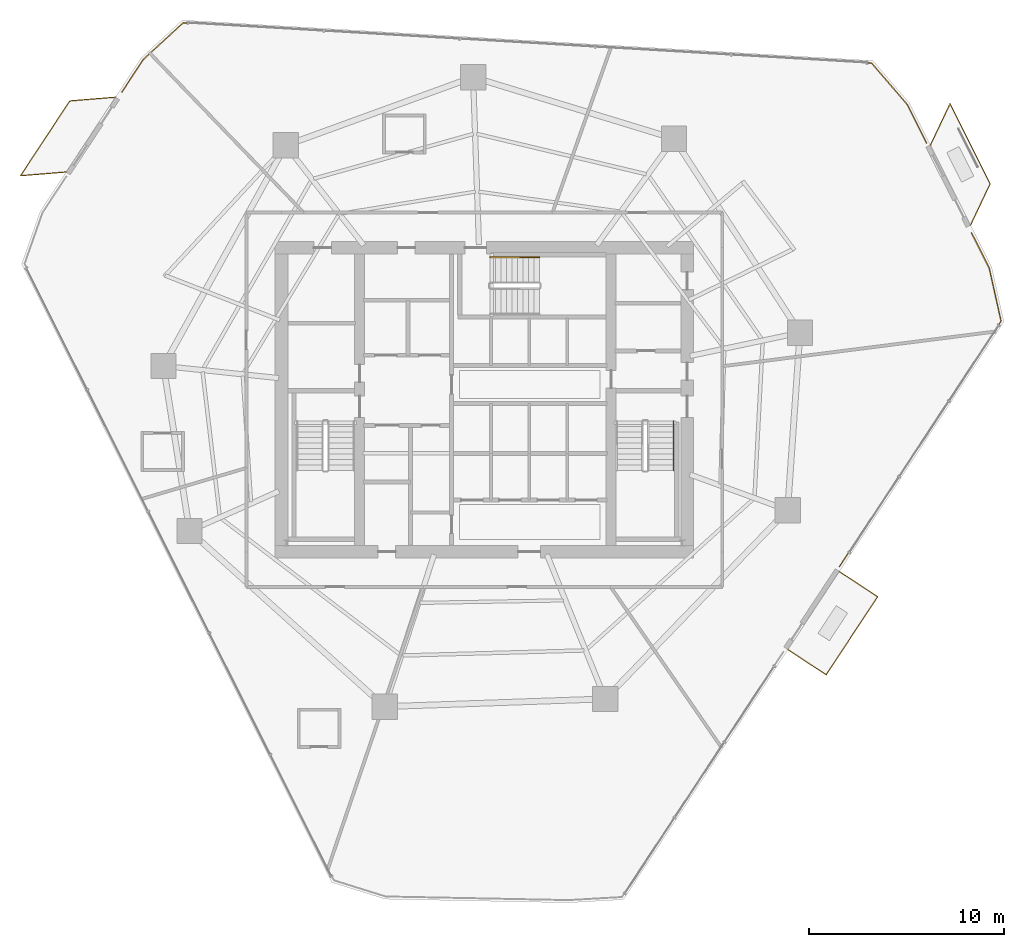
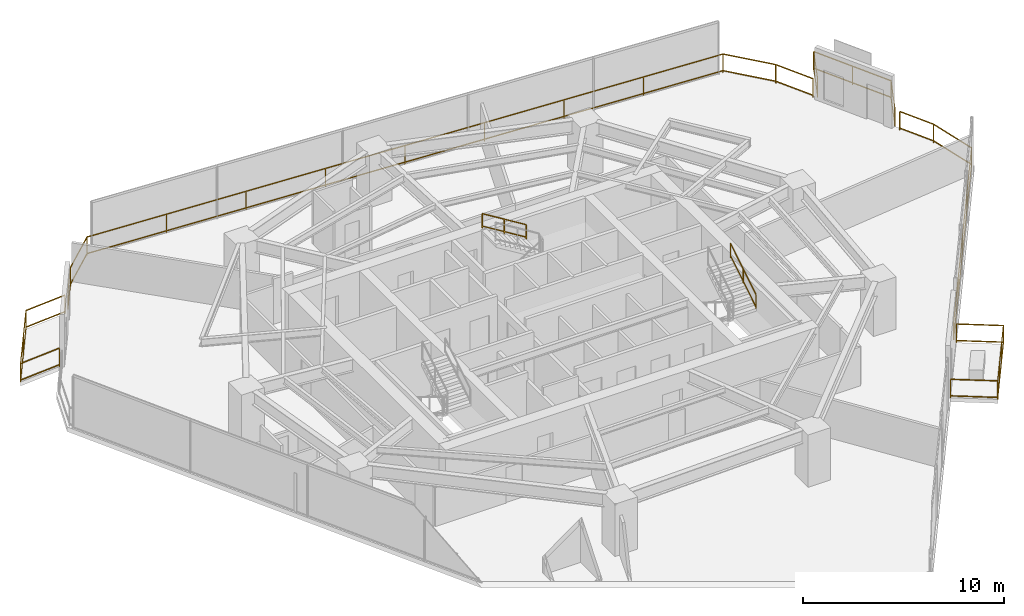
# One storey, part 28 of 28: 8 railings.
"""IFC4 building model written with IfcOpenShell, lengths in metres."""

from ifc_helpers import new_model, si_unit, direction, frame, origin, origin_2d, place, context, subcontext, project, spatial, rectangle, extrude, material, type_object, element, save


model = new_model("IFC4")

# Units and contexts
model_context = context("Model", 3, precision=1e-05, world=origin(), true_north=direction((0.0, 1.0)))
body_context = subcontext(model_context, "Body", "Model", "MODEL_VIEW")
ifc_project = project(units=[si_unit("LENGTHUNIT", "METRE"), si_unit("AREAUNIT", "SQUARE_METRE"), si_unit("VOLUMEUNIT", "CUBIC_METRE"), si_unit("PLANEANGLEUNIT", "RADIAN"), si_unit("MASSUNIT", "GRAM", prefix="KILO")], contexts=[model_context])

# Site, building, storey
site_placement = place(None, origin())
site = spatial("IfcSite", under=ifc_project, at=site_placement, CompositionType="ELEMENT")
building_placement = place(site_placement, origin())
building = spatial("IfcBuilding", under=site, at=building_placement, Name="Qarnah Convention Tower", CompositionType="ELEMENT")
storey_placement = place(building_placement, frame((0.0, 0.0, 54.60009765625)))
storey = spatial("IfcBuildingStorey", under=building, at=storey_placement, Name="L13", CompositionType="ELEMENT", Elevation=54.60009765625)

# Railings
ifc_material_1 = material(Name="Black anodised aluminium", Category="aluminium")
railing_type_1 = type_object("IfcRailingType", Name="RL-EXT-GUARD-1150", PredefinedType="GUARDRAIL", material=ifc_material_1)
railing_1_placement = place(storey_placement, frame((58.8798828125, 41.544921875, 0.0)))
element("IfcRailing", 1, at=railing_1_placement, inside=storey, type_object=railing_type_1, Name="L13 slab-edge perimeter safety guard 01", PredefinedType="GUARDRAIL", context=body_context, shape_type="SweptSolid", body=[
    extrude(rectangle(XDim=0.048095703125, YDim=0.048095703125, at=origin_2d()), frame((0.0, 0.0, 1.1259765625), z_axis=(0.448356098908, -0.893855026597, 0.0), x_axis=(0.893855026597, 0.448356098908, 0.0)), (0.0, 0.0, 1.0), 2.2216796875),
    extrude(rectangle(XDim=0.048095703125, YDim=0.048095703125, at=origin_2d()), frame((0.0, 0.0, 0.1201171875), z_axis=(0.448356098908, -0.893855026597, 0.0), x_axis=(0.893855026597, 0.448356098908, 0.0)), (0.0, 0.0, 1.0), 2.2216796875),
    extrude(rectangle(XDim=0.0419921875, YDim=0.0419921875, at=origin_2d()), origin(), (0.0, 0.0, 1.0), 1.101806640625),
    extrude(rectangle(XDim=0.0419921875, YDim=0.0419921875, at=origin_2d()), frame((0.99609375, -1.98583984375, 0.0)), (0.0, 0.0, 1.0), 1.101806640625),
])
railing_2_placement = place(storey_placement, frame((62.18896484375, 34.947021484375, 0.0)))
element("IfcRailing", 2, at=railing_2_placement, inside=storey, type_object=railing_type_1, Name="L13 slab-edge perimeter safety guard 02", PredefinedType="GUARDRAIL", context=body_context, shape_type="SweptSolid", body=[
    extrude(rectangle(XDim=0.048095703125, YDim=0.048095703125, at=origin_2d()), frame((0.0, 0.0, 1.1259765625), z_axis=(0.448233396907, -0.893916563163, 0.0), x_axis=(0.893916563163, 0.448233396907, 0.0)), (0.0, 0.0, 1.0), 2.010498046875),
    extrude(rectangle(XDim=0.048095703125, YDim=0.048095703125, at=origin_2d()), frame((0.0, 0.0, 0.1201171875), z_axis=(0.448233396907, -0.893916563163, 0.0), x_axis=(0.893916563163, 0.448233396907, 0.0)), (0.0, 0.0, 1.0), 2.010498046875),
    extrude(rectangle(XDim=0.048095703125, YDim=0.048095703125, at=origin_2d()), frame((0.901123046875, -1.797119140625, 1.1259765625), z_axis=(0.218525894603, -0.97583115004, 0.0), x_axis=(0.97583115004, 0.218525894603, 0.0)), (0.0, 0.0, 1.0), 2.786376953125),
    extrude(rectangle(XDim=0.048095703125, YDim=0.048095703125, at=origin_2d()), frame((0.901123046875, -1.797119140625, 0.1201171875), z_axis=(0.218525894603, -0.97583115004, 0.0), x_axis=(0.97583115004, 0.218525894603, 0.0)), (0.0, 0.0, 1.0), 2.786376953125),
    extrude(rectangle(XDim=0.048095703125, YDim=0.048095703125, at=origin_2d()), frame((1.510009765625, -4.51611328125, 1.1259765625), z_axis=(-0.549915020426, -0.835220611761, 0.0), x_axis=(0.835220611761, -0.549915020426, 0.0)), (0.0, 0.0, 1.0), 15.06396484375),
    extrude(rectangle(XDim=0.048095703125, YDim=0.048095703125, at=origin_2d()), frame((1.510009765625, -4.51611328125, 0.1201171875), z_axis=(-0.549915020426, -0.835220611761, 0.0), x_axis=(0.835220611761, -0.549915020426, 0.0)), (0.0, 0.0, 1.0), 15.06396484375),
    extrude(rectangle(XDim=0.0419921875, YDim=0.0419921875, at=origin_2d()), origin(), (0.0, 0.0, 1.0), 1.101806640625),
    extrude(rectangle(XDim=0.0419921875, YDim=0.0419921875, at=origin_2d()), frame((0.901123046875, -1.797119140625, 0.0)), (0.0, 0.0, 1.0), 1.101806640625),
    extrude(rectangle(XDim=0.0419921875, YDim=0.0419921875, at=origin_2d()), frame((1.510009765625, -4.51611328125, 0.0)), (0.0, 0.0, 1.0), 1.101806640625),
    extrude(rectangle(XDim=0.0419921875, YDim=0.0419921875, at=origin_2d()), frame((-0.56103515625, -7.66162109375, 0.0)), (0.0, 0.0, 1.0), 1.101806640625),
    extrude(rectangle(XDim=0.0419921875, YDim=0.0419921875, at=origin_2d()), frame((-2.6318359375, -10.80712890625, 0.0)), (0.0, 0.0, 1.0), 1.101806640625),
    extrude(rectangle(XDim=0.0419921875, YDim=0.0419921875, at=origin_2d()), frame((-4.702880859375, -13.952392578125, 0.0)), (0.0, 0.0, 1.0), 1.101806640625),
    extrude(rectangle(XDim=0.0419921875, YDim=0.0419921875, at=origin_2d()), frame((-6.77392578125, -17.097900390625, 0.0)), (0.0, 0.0, 1.0), 1.101806640625),
])
railing_3_placement = place(storey_placement, frame((18.60009765625, 42.1640625, 0.0)))
element("IfcRailing", 3, at=railing_3_placement, inside=storey, type_object=railing_type_1, Name="L13 slab-edge perimeter safety guard 04", PredefinedType="GUARDRAIL", context=body_context, shape_type="SweptSolid", body=[
    extrude(rectangle(XDim=0.048095703125, YDim=0.048095703125, at=origin_2d()), frame((0.0, 0.0, 1.1259765625), z_axis=(0.549649928416, 0.835395089878, 0.0), x_axis=(-0.835395089878, 0.549649928416, 0.0)), (0.0, 0.0, 1.0), 2.01220703125),
    extrude(rectangle(XDim=0.048095703125, YDim=0.048095703125, at=origin_2d()), frame((0.0, 0.0, 0.1201171875), z_axis=(0.549649928416, 0.835395089878, 0.0), x_axis=(-0.835395089878, 0.549649928416, 0.0)), (0.0, 0.0, 1.0), 2.01220703125),
    extrude(rectangle(XDim=0.048095703125, YDim=0.048095703125, at=origin_2d()), frame((1.10595703125, 1.680908203125, 1.1259765625), z_axis=(0.735740520913, 0.677263527652, 0.0), x_axis=(-0.677263527652, 0.735740520913, 0.0)), (0.0, 0.0, 1.0), 2.78466796875),
    extrude(rectangle(XDim=0.048095703125, YDim=0.048095703125, at=origin_2d()), frame((1.10595703125, 1.680908203125, 0.1201171875), z_axis=(0.735740520913, 0.677263527652, 0.0), x_axis=(-0.677263527652, 0.735740520913, 0.0)), (0.0, 0.0, 1.0), 2.78466796875),
    extrude(rectangle(XDim=0.048095703125, YDim=0.048095703125, at=origin_2d()), frame((3.15478515625, 3.56689453125, 1.1259765625), z_axis=(0.99828110231, -0.058607514622, 0.0), x_axis=(0.058607514622, 0.99828110231, 0.0)), (0.0, 0.0, 1.0), 35.370849609375),
    extrude(rectangle(XDim=0.048095703125, YDim=0.048095703125, at=origin_2d()), frame((3.15478515625, 3.56689453125, 0.1201171875), z_axis=(0.99828110231, -0.058607514622, 0.0), x_axis=(0.058607514622, 0.99828110231, 0.0)), (0.0, 0.0, 1.0), 35.370849609375),
    extrude(rectangle(XDim=0.048095703125, YDim=0.048095703125, at=origin_2d()), frame((38.46484375, 1.493896484375, 1.1259765625), z_axis=(0.65157057649, -0.758588019845, 0.0), x_axis=(0.758588019845, 0.65157057649, 0.0)), (0.0, 0.0, 1.0), 2.785400390625),
    extrude(rectangle(XDim=0.048095703125, YDim=0.048095703125, at=origin_2d()), frame((38.46484375, 1.493896484375, 0.1201171875), z_axis=(0.65157057649, -0.758588019845, 0.0), x_axis=(0.758588019845, 0.65157057649, 0.0)), (0.0, 0.0, 1.0), 2.785400390625),
    extrude(rectangle(XDim=0.0419921875, YDim=0.0419921875, at=origin_2d()), origin(), (0.0, 0.0, 1.0), 1.101806640625),
    extrude(rectangle(XDim=0.0419921875, YDim=0.0419921875, at=origin_2d()), frame((1.10595703125, 1.680908203125, 0.0)), (0.0, 0.0, 1.0), 1.101806640625),
    extrude(rectangle(XDim=0.0419921875, YDim=0.0419921875, at=origin_2d()), frame((3.15478515625, 3.56689453125, 0.0)), (0.0, 0.0, 1.0), 1.101806640625),
    extrude(rectangle(XDim=0.0419921875, YDim=0.0419921875, at=origin_2d()), frame((7.568603515625, 3.307861328125, 0.0)), (0.0, 0.0, 1.0), 1.101806640625),
    extrude(rectangle(XDim=0.0419921875, YDim=0.0419921875, at=origin_2d()), frame((11.982421875, 3.048583984375, 0.0)), (0.0, 0.0, 1.0), 1.101806640625),
    extrude(rectangle(XDim=0.0419921875, YDim=0.0419921875, at=origin_2d()), frame((16.39599609375, 2.78955078125, 0.0)), (0.0, 0.0, 1.0), 1.101806640625),
    extrude(rectangle(XDim=0.0419921875, YDim=0.0419921875, at=origin_2d()), frame((20.809814453125, 2.5302734375, 0.0)), (0.0, 0.0, 1.0), 1.101806640625),
    extrude(rectangle(XDim=0.0419921875, YDim=0.0419921875, at=origin_2d()), frame((25.2236328125, 2.271240234375, 0.0)), (0.0, 0.0, 1.0), 1.101806640625),
    extrude(rectangle(XDim=0.0419921875, YDim=0.0419921875, at=origin_2d()), frame((29.63720703125, 2.01220703125, 0.0)), (0.0, 0.0, 1.0), 1.101806640625),
    extrude(rectangle(XDim=0.0419921875, YDim=0.0419921875, at=origin_2d()), frame((34.051025390625, 1.7529296875, 0.0)), (0.0, 0.0, 1.0), 1.101806640625),
    extrude(rectangle(XDim=0.0419921875, YDim=0.0419921875, at=origin_2d()), frame((38.46484375, 1.493896484375, 0.0)), (0.0, 0.0, 1.0), 1.101806640625),
    extrude(rectangle(XDim=0.0419921875, YDim=0.0419921875, at=origin_2d()), frame((40.27978515625, -0.619140625, 0.0)), (0.0, 0.0, 1.0), 1.101806640625),
])
railing_4_placement = place(storey_placement, frame((60.073974609375, 39.462890625, 0.0)))
element("IfcRailing", 4, at=railing_4_placement, inside=storey, type_object=railing_type_1, Name="L13 balcony safety guard BAL-L13-C1", PredefinedType="GUARDRAIL", context=body_context, shape_type="SweptSolid", body=[
    extrude(rectangle(XDim=0.048095703125, YDim=0.048095703125, at=origin_2d()), frame((0.0, 0.0, 1.1259765625), z_axis=(0.428403596515, 0.903587493546, 0.0), x_axis=(-0.903587493546, 0.428403596515, 0.0)), (0.0, 0.0, 1.0), 2.348388671875),
    extrude(rectangle(XDim=0.048095703125, YDim=0.048095703125, at=origin_2d()), frame((0.0, 0.0, 0.1201171875), z_axis=(0.428403596515, 0.903587493546, 0.0), x_axis=(-0.903587493546, 0.428403596515, 0.0)), (0.0, 0.0, 1.0), 2.348388671875),
    extrude(rectangle(XDim=0.048095703125, YDim=0.048095703125, at=origin_2d()), frame((1.006103515625, 2.1220703125, 1.1259765625), z_axis=(0.448253521445, -0.893906471904, 0.0), x_axis=(0.893906471904, 0.448253521445, 0.0)), (0.0, 0.0, 1.0), 4.60009765625),
    extrude(rectangle(XDim=0.048095703125, YDim=0.048095703125, at=origin_2d()), frame((1.006103515625, 2.1220703125, 0.1201171875), z_axis=(0.448253521445, -0.893906471904, 0.0), x_axis=(0.893906471904, 0.448253521445, 0.0)), (0.0, 0.0, 1.0), 4.60009765625),
    extrude(rectangle(XDim=0.048095703125, YDim=0.048095703125, at=origin_2d()), frame((3.068115234375, -1.989990234375, 1.1259765625), z_axis=(-0.42826520048, -0.903653096082, 0.0), x_axis=(0.903653096082, -0.42826520048, 0.0)), (0.0, 0.0, 1.0), 2.346923828125),
    extrude(rectangle(XDim=0.048095703125, YDim=0.048095703125, at=origin_2d()), frame((3.068115234375, -1.989990234375, 0.1201171875), z_axis=(-0.42826520048, -0.903653096082, 0.0), x_axis=(0.903653096082, -0.42826520048, 0.0)), (0.0, 0.0, 1.0), 2.346923828125),
    extrude(rectangle(XDim=0.0419921875, YDim=0.0419921875, at=origin_2d()), origin(), (0.0, 0.0, 1.0), 1.101806640625),
    extrude(rectangle(XDim=0.0419921875, YDim=0.0419921875, at=origin_2d()), frame((1.006103515625, 2.1220703125, 0.0)), (0.0, 0.0, 1.0), 1.101806640625),
    extrude(rectangle(XDim=0.0419921875, YDim=0.0419921875, at=origin_2d()), frame((2.037109375, 0.06591796875, 0.0)), (0.0, 0.0, 1.0), 1.101806640625),
    extrude(rectangle(XDim=0.0419921875, YDim=0.0419921875, at=origin_2d()), frame((3.068115234375, -1.989990234375, 0.0)), (0.0, 0.0, 1.0), 1.101806640625),
    extrude(rectangle(XDim=0.0419921875, YDim=0.0419921875, at=origin_2d()), frame((2.06298828125, -4.11083984375, 0.0)), (0.0, 0.0, 1.0), 1.101806640625),
])
railing_5_placement = place(storey_placement, frame((15.74609375, 38.074951171875, 0.0)))
element("IfcRailing", 5, at=railing_5_placement, inside=storey, type_object=railing_type_1, Name="L13 balcony safety guard BAL-L13-C2", PredefinedType="GUARDRAIL", context=body_context, shape_type="SweptSolid", body=[
    extrude(rectangle(XDim=0.048095703125, YDim=0.048095703125, at=origin_2d()), frame((0.0, 0.0, 1.1259765625), z_axis=(-0.996722026319, -0.080902424254, 0.0), x_axis=(0.080902424254, -0.996722026319, 0.0)), (0.0, 0.0, 1.0), 2.347900390625),
    extrude(rectangle(XDim=0.048095703125, YDim=0.048095703125, at=origin_2d()), frame((0.0, 0.0, 0.1201171875), z_axis=(-0.996722026319, -0.080902424254, 0.0), x_axis=(0.080902424254, -0.996722026319, 0.0)), (0.0, 0.0, 1.0), 2.347900390625),
    extrude(rectangle(XDim=0.048095703125, YDim=0.048095703125, at=origin_2d()), frame((-2.340087890625, -0.18994140625, 1.1259765625), z_axis=(0.549976123516, 0.83518037786, 0.0), x_axis=(-0.83518037786, 0.549976123516, 0.0)), (0.0, 0.0, 1.0), 4.600341796875),
    extrude(rectangle(XDim=0.048095703125, YDim=0.048095703125, at=origin_2d()), frame((-2.340087890625, -0.18994140625, 0.1201171875), z_axis=(0.549976123516, 0.83518037786, 0.0), x_axis=(-0.83518037786, 0.549976123516, 0.0)), (0.0, 0.0, 1.0), 4.600341796875),
    extrude(rectangle(XDim=0.048095703125, YDim=0.048095703125, at=origin_2d()), frame((0.18994140625, 3.652099609375, 1.1259765625), z_axis=(0.996721345593, 0.0809108104, 0.0), x_axis=(-0.0809108104, 0.996721345593, 0.0)), (0.0, 0.0, 1.0), 2.34765625),
    extrude(rectangle(XDim=0.048095703125, YDim=0.048095703125, at=origin_2d()), frame((0.18994140625, 3.652099609375, 0.1201171875), z_axis=(0.996721345593, 0.0809108104, 0.0), x_axis=(-0.0809108104, 0.996721345593, 0.0)), (0.0, 0.0, 1.0), 2.34765625),
    extrude(rectangle(XDim=0.0419921875, YDim=0.0419921875, at=origin_2d()), origin(), (0.0, 0.0, 1.0), 1.101806640625),
    extrude(rectangle(XDim=0.0419921875, YDim=0.0419921875, at=origin_2d()), frame((-2.340087890625, -0.18994140625, 0.0)), (0.0, 0.0, 1.0), 1.101806640625),
    extrude(rectangle(XDim=0.0419921875, YDim=0.0419921875, at=origin_2d()), frame((-1.0751953125, 1.73095703125, 0.0)), (0.0, 0.0, 1.0), 1.101806640625),
    extrude(rectangle(XDim=0.0419921875, YDim=0.0419921875, at=origin_2d()), frame((0.18994140625, 3.652099609375, 0.0)), (0.0, 0.0, 1.0), 1.101806640625),
    extrude(rectangle(XDim=0.0419921875, YDim=0.0419921875, at=origin_2d()), frame((2.52978515625, 3.842041015625, 0.0)), (0.0, 0.0, 1.0), 1.101806640625),
])
railing_6_placement = place(storey_placement, frame((55.407958984375, 17.590087890625, 0.0)))
element("IfcRailing", 6, at=railing_6_placement, inside=storey, type_object=railing_type_1, Name="L13 balcony safety guard VN-L13", PredefinedType="GUARDRAIL", context=body_context, shape_type="SweptSolid", body=[
    extrude(rectangle(XDim=0.048095703125, YDim=0.048095703125, at=origin_2d()), frame((0.0, 0.0, 1.1259765625), z_axis=(0.835327949283, -0.549751959657, 0.0), x_axis=(0.549751959657, 0.835327949283, 0.0)), (0.0, 0.0, 1.0), 2.35009765625),
    extrude(rectangle(XDim=0.048095703125, YDim=0.048095703125, at=origin_2d()), frame((0.0, 0.0, 0.1201171875), z_axis=(0.835327949283, -0.549751959657, 0.0), x_axis=(0.549751959657, 0.835327949283, 0.0)), (0.0, 0.0, 1.0), 2.35009765625),
    extrude(rectangle(XDim=0.048095703125, YDim=0.048095703125, at=origin_2d()), frame((1.963134765625, -1.2919921875, 1.1259765625), z_axis=(-0.549996626235, -0.835166876217, 0.0), x_axis=(0.835166876217, -0.549996626235, 0.0)), (0.0, 0.0, 1.0), 4.80029296875),
    extrude(rectangle(XDim=0.048095703125, YDim=0.048095703125, at=origin_2d()), frame((1.963134765625, -1.2919921875, 0.1201171875), z_axis=(-0.549996626235, -0.835166876217, 0.0), x_axis=(0.835166876217, -0.549996626235, 0.0)), (0.0, 0.0, 1.0), 4.80029296875),
    extrude(rectangle(XDim=0.048095703125, YDim=0.048095703125, at=origin_2d()), frame((-0.677001953125, -5.301025390625, 1.1259765625), z_axis=(-0.83517086482, 0.549990569516, 0.0), x_axis=(-0.549990569516, -0.83517086482, 0.0)), (0.0, 0.0, 1.0), 2.34912109375),
    extrude(rectangle(XDim=0.048095703125, YDim=0.048095703125, at=origin_2d()), frame((-0.677001953125, -5.301025390625, 0.1201171875), z_axis=(-0.83517086482, 0.549990569516, 0.0), x_axis=(-0.549990569516, -0.83517086482, 0.0)), (0.0, 0.0, 1.0), 2.34912109375),
    extrude(rectangle(XDim=0.0419921875, YDim=0.0419921875, at=origin_2d()), origin(), (0.0, 0.0, 1.0), 1.101806640625),
    extrude(rectangle(XDim=0.0419921875, YDim=0.0419921875, at=origin_2d()), frame((1.963134765625, -1.2919921875, 0.0)), (0.0, 0.0, 1.0), 1.101806640625),
    extrude(rectangle(XDim=0.0419921875, YDim=0.0419921875, at=origin_2d()), frame((1.0830078125, -2.62841796875, 0.0)), (0.0, 0.0, 1.0), 1.101806640625),
    extrude(rectangle(XDim=0.0419921875, YDim=0.0419921875, at=origin_2d()), frame((0.203125, -3.964599609375, 0.0)), (0.0, 0.0, 1.0), 1.101806640625),
    extrude(rectangle(XDim=0.0419921875, YDim=0.0419921875, at=origin_2d()), frame((-0.677001953125, -5.301025390625, 0.0)), (0.0, 0.0, 1.0), 1.101806640625),
    extrude(rectangle(XDim=0.0419921875, YDim=0.0419921875, at=origin_2d()), frame((-2.638916015625, -4.009033203125, 0.0)), (0.0, 0.0, 1.0), 1.101806640625),
])
ifc_material_2 = material(Name="Structural steel S355JR", Category="steel")
railing_type_2 = type_object("IfcRailingType", Name="RL-STAIR-HAND-900", PredefinedType="HANDRAIL", material=ifc_material_2)
railing_7_placement = place(storey_placement, frame((46.89990234375, 22.780029296875, 1.8974609375)))
element("IfcRailing", 7, at=railing_7_placement, inside=storey, type_object=railing_type_2, Name="L13 ST-2 stair handrail 2", PredefinedType="HANDRAIL", context=body_context, shape_type="SweptSolid", body=[
    extrude(rectangle(XDim=0.048095703125, YDim=0.048095703125, at=origin_2d()), frame((0.0, 0.0, 0.8759765625), z_axis=(0.0, 0.851400495292, 0.524516154772), x_axis=(-1.0, 0.0, 0.0)), (0.0, 0.0, 1.0), 2.9599609375),
    extrude(rectangle(XDim=0.048095703125, YDim=0.048095703125, at=origin_2d()), frame((0.0, 0.0, 0.1201171875), z_axis=(0.0, 0.851400495292, 0.524516154772), x_axis=(-1.0, 0.0, 0.0)), (0.0, 0.0, 1.0), 2.9599609375),
    extrude(rectangle(XDim=0.0419921875, YDim=0.0419921875, at=origin_2d()), origin(), (0.0, 0.0, 1.0), 0.851806640625),
    extrude(rectangle(XDim=0.0419921875, YDim=0.0419921875, at=origin_2d()), frame((0.0, 1.260009765625, 0.7763671875)), (0.0, 0.0, 1.0), 0.851806640625),
    extrude(rectangle(XDim=0.0419921875, YDim=0.0419921875, at=origin_2d()), frame((0.0, 2.52001953125, 1.552490234375)), (0.0, 0.0, 1.0), 0.851806640625),
])
railing_8_placement = place(storey_placement, frame((40.02001953125, 33.699951171875, 1.8974609375)))
element("IfcRailing", 8, at=railing_8_placement, inside=storey, type_object=railing_type_2, Name="L13 ST-3 stair handrail 2", PredefinedType="HANDRAIL", context=body_context, shape_type="SweptSolid", body=[
    extrude(rectangle(XDim=0.048095703125, YDim=0.048095703125, at=origin_2d()), frame((0.0, 0.0, 0.8759765625), z_axis=(-0.851400495292, 0.0, 0.524516154772), x_axis=(0.0, -1.0, 0.0)), (0.0, 0.0, 1.0), 2.9599609375),
    extrude(rectangle(XDim=0.048095703125, YDim=0.048095703125, at=origin_2d()), frame((0.0, 0.0, 0.1201171875), z_axis=(-0.851400495292, 0.0, 0.524516154772), x_axis=(0.0, -1.0, 0.0)), (0.0, 0.0, 1.0), 2.9599609375),
    extrude(rectangle(XDim=0.0419921875, YDim=0.0419921875, at=origin_2d()), origin(), (0.0, 0.0, 1.0), 0.851806640625),
    extrude(rectangle(XDim=0.0419921875, YDim=0.0419921875, at=origin_2d()), frame((-1.260009765625, 0.0, 0.7763671875)), (0.0, 0.0, 1.0), 0.851806640625),
    extrude(rectangle(XDim=0.0419921875, YDim=0.0419921875, at=origin_2d()), frame((-2.52001953125, 0.0, 1.552490234375)), (0.0, 0.0, 1.0), 0.851806640625),
])

save(model, "model.ifc")
